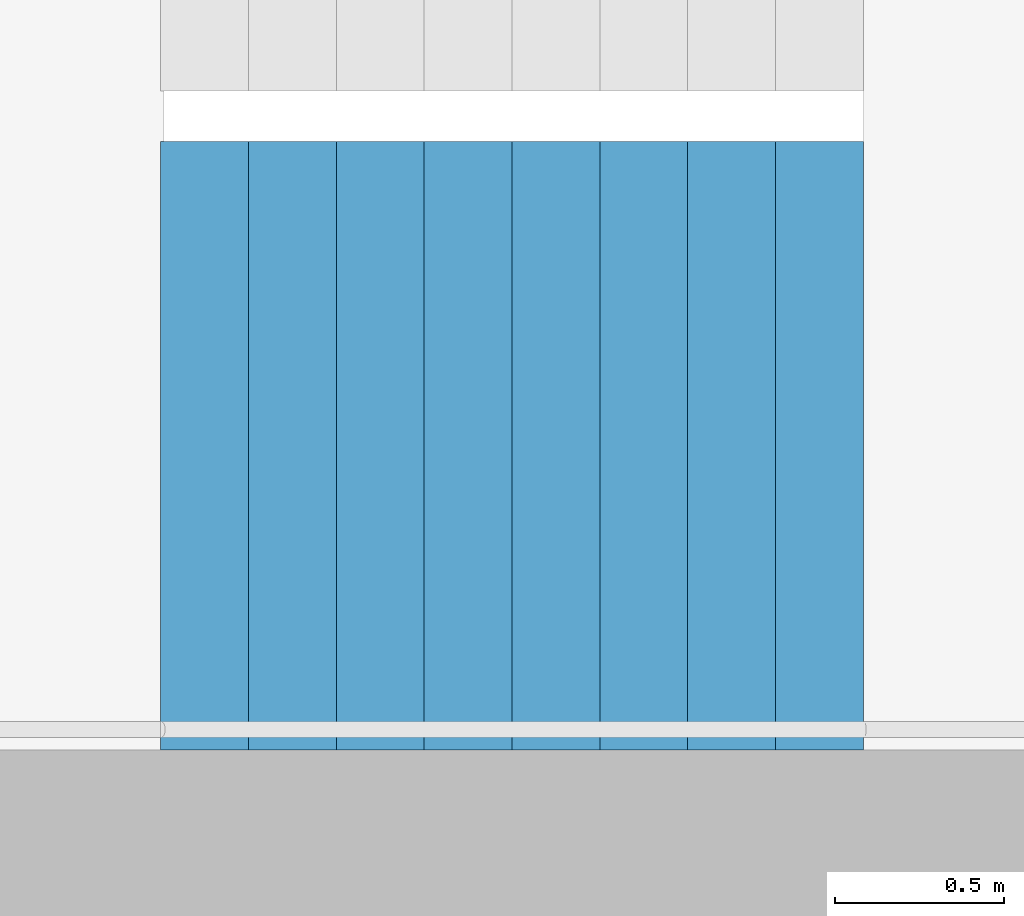
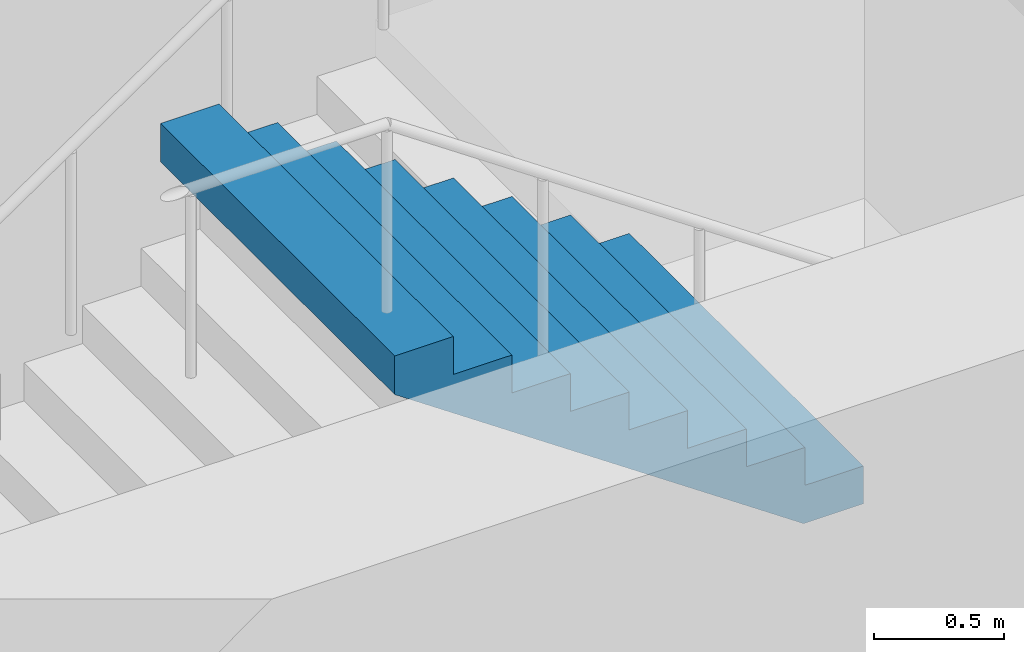
# One storey, part 25 of 29: 1 stair flight, 1 element without a shape of its own.
"""IFC4 building model written with IfcOpenShell, lengths in metres."""

import ifcopenshell
import ifcopenshell.guid

model = None  # the IFC model being written
_history = None  # IfcOwnerHistory: only IFC2X3 demands one
_inside = {}  # id of a spatial element -> (the spatial element, [elements in it])
_under = {}  # id of a project, library or spatial element -> (it, [spatial elements below it])
_declared = {}  # id of a project -> (the project, [libraries it declares])
_typed = {}  # id of a type object -> (the type object, [elements of that type])
_made_of = {}  # id of a material, layer set ... -> (it, [elements and type objects made of it])


def new_model(schema):
    """Start an empty IFC model of exactly this schema.

    Asked for "IFC4X3", IfcOpenShell would pick the latest addendum, in which some entities
    have other attributes; the version numbers below select the first issue.
    IFC2X3 requires an IfcOwnerHistory on every rooted entity: one is made here for all.
    """
    global model, _history
    if schema == "IFC4X3":
        model = ifcopenshell.file(schema_version=(4, 3, 0, 0))
    else:
        model = ifcopenshell.file(schema=schema)
    _inside.clear()
    _under.clear()
    _declared.clear()
    _typed.clear()
    _made_of.clear()
    _history = None
    if model.schema == "IFC2X3":
        org = make("IfcOrganization", Name="unknown")
        user = make(
            "IfcPersonAndOrganization",
            ThePerson=make("IfcPerson", FamilyName="unknown"),
            TheOrganization=org,
        )
        app = make(
            "IfcApplication",
            ApplicationDeveloper=org,
            Version="unknown",
            ApplicationFullName="unknown",
            ApplicationIdentifier="unknown",
        )
        _history = make(
            "IfcOwnerHistory",
            OwningUser=user,
            OwningApplication=app,
            ChangeAction="ADDED",
            CreationDate=0,
        )
    return model


def make(cls, **values):
    """One entity of the class cls with the attributes given. An attribute that is None is left unset."""
    return model.create_entity(
        cls, **{name: value for name, value in values.items() if value is not None}
    )


def rooted(cls, **values):
    """An entity with a GlobalId (a new one), such as an element, a storey or a relation."""
    return make(cls, GlobalId=ifcopenshell.guid.new(), OwnerHistory=_history, **values)


def si_unit(unit_type, name, prefix=None):
    """IfcSIUnit, for example si_unit("LENGTHUNIT", "METRE", prefix="MILLI")."""
    return make("IfcSIUnit", UnitType=unit_type, Prefix=prefix, Name=name)


def assignment(units):
    """IfcUnitAssignment: the units of a project."""
    return None if units is None else make("IfcUnitAssignment", Units=units)


def point(xyz):
    """IfcCartesianPoint."""
    return None if xyz is None else make("IfcCartesianPoint", Coordinates=xyz)


def direction(xyz):
    """IfcDirection."""
    return None if xyz is None else make("IfcDirection", DirectionRatios=xyz)


def frame(location, z_axis=None, x_axis=None):
    """IfcAxis2Placement3D, a coordinate frame: its origin and axes. An axis left out is left unset."""
    return make(
        "IfcAxis2Placement3D",
        Location=point(location),
        Axis=direction(z_axis),
        RefDirection=direction(x_axis),
    )


def origin():
    """The frame at (0, 0, 0) with its axes left unset."""
    return frame((0.0, 0.0, 0.0))


def place(relative_to, where):
    """IfcLocalPlacement: puts the frame where relative to a parent placement (None: the world)."""
    return make(
        "IfcLocalPlacement", PlacementRelTo=relative_to, RelativePlacement=where
    )


def context(
    kind, dimensions, precision=None, world=None, true_north=None, identifier=None
):
    """IfcGeometricRepresentationContext, for example the 3D "Model" context."""
    return make(
        "IfcGeometricRepresentationContext",
        ContextIdentifier=identifier,
        ContextType=kind,
        CoordinateSpaceDimension=dimensions,
        Precision=precision,
        WorldCoordinateSystem=world,
        TrueNorth=true_north,
    )


def subcontext(parent, identifier, kind, view, scale=None):
    """IfcGeometricRepresentationSubContext, for example "Body" below "Model"."""
    return make(
        "IfcGeometricRepresentationSubContext",
        ContextIdentifier=identifier,
        ContextType=kind,
        ParentContext=parent,
        TargetScale=scale,
        TargetView=view,
    )


def project(units=None, contexts=None):
    """IfcProject with its units and contexts."""
    return rooted(
        "IfcProject",
        Name="project",
        RepresentationContexts=contexts,
        UnitsInContext=assignment(units),
    )


def spatial(cls, under=None, at=None, **own):
    """A site, building, storey or space (cls), placed at a placement, below another one or the project."""
    s = rooted(cls, ObjectPlacement=at, **own)
    if under is not None:
        _under.setdefault(under.id(), (under, []))[1].append(s)
    return s


def point_list(points):
    """IfcCartesianPointList2D or 3D."""
    cls = (
        "IfcCartesianPointList2D" if len(points[0]) == 2 else "IfcCartesianPointList3D"
    )
    return make(cls, CoordList=points)


def triangles(points, corners, closed=None, point_numbers=None):
    """IfcTriangulatedFaceSet: each triangle names its three corners, points numbered from 1."""
    return make(
        "IfcTriangulatedFaceSet",
        Coordinates=point_list(points),
        Closed=closed,
        CoordIndex=corners,
        PnIndex=point_numbers,
    )


def shape(context_of_items, identifier, shape_type, items):
    """IfcShapeRepresentation: the items that make up one representation, for example the "Body"."""
    return make(
        "IfcShapeRepresentation",
        ContextOfItems=context_of_items,
        RepresentationIdentifier=identifier,
        RepresentationType=shape_type,
        Items=items,
    )


def material(Name=None, Category=None):
    """IfcMaterial."""
    return make("IfcMaterial", Name=Name, Category=Category)


def made_of(thing, what):
    """Note that an element or type object is made of a material, layer set ...; save() writes the relation."""
    if what is not None:
        _made_of.setdefault(what.id(), (what, []))[1].append(thing)
    return thing


def type_object(cls, material=None, **own):
    """A type object (cls), such as IfcWallType, which elements share."""
    return made_of(rooted(cls, **own), material)


def element(
    cls,
    number,
    at=None,
    inside=None,
    cuts=None,
    type_object=None,
    material=None,
    context=None,
    identifier="Body",
    shape_type=None,
    held_by="IfcProductDefinitionShape",
    body=None,
    shapes=None,
    **own,
):
    """One element of the class cls, such as IfcWall. Its Tag is "e" and its number.

    at: its placement. inside: the storey or other place that contains it. cuts: it is an
    opening in that element (IfcRelVoidsElement). A single representation is given by context,
    identifier, shape_type and body (its items); several are given by shapes. held_by: the class
    of the entity that holds the representations. save() writes the other relations.
    """
    e = rooted(cls, Tag="e%d" % number, ObjectPlacement=at, **own)
    if body is not None:
        shapes = [shape(context, identifier, shape_type, body)]
    if shapes is not None:
        e.Representation = make(held_by, Representations=shapes)
    if inside is not None:
        _inside.setdefault(inside.id(), (inside, []))[1].append(e)
    if cuts is not None:
        rooted(
            "IfcRelVoidsElement", RelatingBuildingElement=cuts, RelatedOpeningElement=e
        )
    if type_object is not None:
        _typed.setdefault(type_object.id(), (type_object, []))[1].append(e)
    return made_of(e, material)


def aggregate(whole, parts):
    """IfcRelAggregates: a whole, such as a stair, and the parts it consists of."""
    return rooted("IfcRelAggregates", RelatingObject=whole, RelatedObjects=parts)


def save(model, path):
    """Write the relations noted so far, then the file.

    IfcRelAggregates (storeys below a building ...), IfcRelContainedInSpatialStructure (elements
    in a storey), IfcRelDefinesByType, IfcRelAssociatesMaterial and IfcRelDeclares: one each for
    every whole, place, type object, material and project.
    """
    for whole, parts in _under.values():
        aggregate(whole, parts)
    for where, things in _inside.values():
        rooted(
            "IfcRelContainedInSpatialStructure",
            RelatedElements=things,
            RelatingStructure=where,
        )
    for kind, things in _typed.values():
        rooted("IfcRelDefinesByType", RelatedObjects=things, RelatingType=kind)
    for what, things in _made_of.values():
        rooted("IfcRelAssociatesMaterial", RelatedObjects=things, RelatingMaterial=what)
    for by, libraries in _declared.values():
        rooted("IfcRelDeclares", RelatingContext=by, RelatedDefinitions=libraries)
    model.write(path)


model = new_model("IFC4")

# Units and contexts
model_context = context("Model", 3, precision=1e-05, world=origin(), true_north=direction((0.0, 1.0)))
body_context = subcontext(model_context, "Body", "Model", "MODEL_VIEW")
ifc_project = project(units=[si_unit("LENGTHUNIT", "METRE"), si_unit("AREAUNIT", "SQUARE_METRE"), si_unit("VOLUMEUNIT", "CUBIC_METRE"), si_unit("PLANEANGLEUNIT", "RADIAN"), si_unit("MASSUNIT", "GRAM", prefix="KILO")], contexts=[model_context])

# Site, building, storey
site_placement = place(None, origin())
site = spatial("IfcSite", under=ifc_project, at=site_placement, CompositionType="ELEMENT")
building_placement = place(site_placement, origin())
building = spatial("IfcBuilding", under=site, at=building_placement, Name="Hakoniwa Tower and Hamabe Station Hall", CompositionType="ELEMENT")
storey_placement = place(building_placement, frame((0.0, 0.0, 110.60009765625)))
storey = spatial("IfcBuildingStorey", under=building, at=storey_placement, Name="L31", CompositionType="ELEMENT", Elevation=110.60009765625)

# Stair, stair flight
ifc_material_1 = material(Name="Concrete C40", Category="concrete")
stair_type = type_object("IfcStairType", Name="ESCAPE STAIR 1800", PredefinedType="HALF_TURN_STAIR", material=ifc_material_1)
stair_placement = place(storey_placement, origin())
stair = element("IfcStair", 1, at=stair_placement, inside=storey, type_object=stair_type, Name="Escape stair ST-4 L31", PredefinedType="HALF_TURN_STAIR")
ifc_material_2 = material(Name="Concrete C40", Category="concrete")
stair_flight_type = type_object("IfcStairFlightType", Name="STAIR FLIGHT 1800", PredefinedType="STRAIGHT", material=ifc_material_2)
stair_flight_placement = place(storey_placement, frame((25.47998046875, -6.60009765625, 1.599853515625), z_axis=(0.0, 0.0, 1.0), x_axis=(-1.0, 0.0, 0.0)))
stair_flight = element("IfcStairFlight", 2, at=stair_flight_placement, type_object=stair_flight_type, Name="ST-4 flight 2", NumberOfRisers=9, NumberOfTreads=8, PredefinedType="STRAIGHT", RiserHeight=0.177777778, TreadLength=0.26, context=body_context, shape_type="Tessellation", body=[
    triangles([(0.0, 0.89990234375, 0.0), (0.260009765625, 0.89990234375, 0.0), (0.265625, 0.89990234375, 0.0), (0.52001953125, 0.89990234375, 0.174072265625), (0.780029296875, 0.89990234375, 0.351806640625), (1.0400390625, 0.89990234375, 0.529541015625), (1.300048828125, 0.89990234375, 0.707275390625), (1.56005859375, 0.89990234375, 0.885009765625), (1.820068359375, 0.89990234375, 1.062744140625), (2.080078125, 0.89990234375, 1.24072265625), (2.080078125, 0.89990234375, 1.422119140625), (1.820068359375, 0.89990234375, 1.422119140625), (1.820068359375, 0.89990234375, 1.244384765625), (1.56005859375, 0.89990234375, 1.244384765625), (1.56005859375, 0.89990234375, 1.066650390625), (1.300048828125, 0.89990234375, 1.066650390625), (1.300048828125, 0.89990234375, 0.888916015625), (1.0400390625, 0.89990234375, 0.888916015625), (1.0400390625, 0.89990234375, 0.711181640625), (0.780029296875, 0.89990234375, 0.711181640625), (0.780029296875, 0.89990234375, 0.533447265625), (0.52001953125, 0.89990234375, 0.533447265625), (0.52001953125, 0.89990234375, 0.35546875), (0.265625, 0.89990234375, 0.35546875), (0.260009765625, 0.89990234375, 0.35546875), (0.260009765625, 0.89990234375, 0.177734375), (0.0, 0.89990234375, 0.177734375), (0.0, 0.06005859375, 0.0), (0.260009765625, 0.06005859375, 0.0), (0.265625, 0.06005859375, 0.0), (0.52001953125, 0.06005859375, 0.174072265625), (0.780029296875, 0.06005859375, 0.351806640625), (1.0400390625, 0.06005859375, 0.529541015625), (1.300048828125, 0.06005859375, 0.707275390625), (1.56005859375, 0.06005859375, 0.885009765625), (1.820068359375, 0.06005859375, 1.062744140625), (2.080078125, 0.06005859375, 1.24072265625), (2.080078125, 0.06005859375, 1.422119140625), (1.820068359375, 0.06005859375, 1.422119140625), (1.820068359375, 0.06005859375, 1.244384765625), (1.56005859375, 0.06005859375, 1.244384765625), (1.56005859375, 0.06005859375, 1.066650390625), (1.300048828125, 0.06005859375, 1.066650390625), (1.300048828125, 0.06005859375, 0.888916015625), (1.0400390625, 0.06005859375, 0.888916015625), (1.0400390625, 0.06005859375, 0.711181640625), (0.780029296875, 0.06005859375, 0.711181640625), (0.780029296875, 0.06005859375, 0.533447265625), (0.52001953125, 0.06005859375, 0.533447265625), (0.52001953125, 0.06005859375, 0.35546875), (0.265625, 0.06005859375, 0.35546875), (0.260009765625, 0.06005859375, 0.35546875), (0.260009765625, 0.06005859375, 0.177734375), (0.0, 0.06005859375, 0.177734375), (0.0, 0.04296875, 0.0), (0.260009765625, 0.04296875, 0.0), (0.265625, 0.04296875, 0.0), (0.52001953125, 0.04296875, 0.174072265625), (0.780029296875, 0.04296875, 0.351806640625), (1.0400390625, 0.04296875, 0.529541015625), (1.300048828125, 0.04296875, 0.707275390625), (1.56005859375, 0.04296875, 0.885009765625), (1.820068359375, 0.04296875, 1.062744140625), (2.080078125, 0.04296875, 1.24072265625), (2.080078125, 0.04296875, 1.422119140625), (1.820068359375, 0.04296875, 1.422119140625), (1.820068359375, 0.04296875, 1.244384765625), (1.56005859375, 0.04296875, 1.244384765625), (1.56005859375, 0.04296875, 1.066650390625), (1.300048828125, 0.04296875, 1.066650390625), (1.300048828125, 0.04296875, 0.888916015625), (1.0400390625, 0.04296875, 0.888916015625), (1.0400390625, 0.04296875, 0.711181640625), (0.780029296875, 0.04296875, 0.711181640625), (0.780029296875, 0.04296875, 0.533447265625), (0.52001953125, 0.04296875, 0.533447265625), (0.52001953125, 0.04296875, 0.35546875), (0.265625, 0.04296875, 0.35546875), (0.260009765625, 0.04296875, 0.35546875), (0.260009765625, 0.04296875, 0.177734375), (0.0, 0.04296875, 0.177734375), (0.0, 0.025634765625, 0.0), (0.260009765625, 0.025634765625, 0.0), (0.265625, 0.025634765625, 0.0), (0.52001953125, 0.025634765625, 0.174072265625), (0.780029296875, 0.025634765625, 0.351806640625), (1.0400390625, 0.025634765625, 0.529541015625), (1.300048828125, 0.025634765625, 0.707275390625), (1.56005859375, 0.025634765625, 0.885009765625), (1.820068359375, 0.025634765625, 1.062744140625), (2.080078125, 0.025634765625, 1.24072265625), (2.080078125, 0.025634765625, 1.422119140625), (1.820068359375, 0.025634765625, 1.422119140625), (1.820068359375, 0.025634765625, 1.244384765625), (1.56005859375, 0.025634765625, 1.244384765625), (1.56005859375, 0.025634765625, 1.066650390625), (1.300048828125, 0.025634765625, 1.066650390625), (1.300048828125, 0.025634765625, 0.888916015625), (1.0400390625, 0.025634765625, 0.888916015625), (1.0400390625, 0.025634765625, 0.711181640625), (0.780029296875, 0.025634765625, 0.711181640625), (0.780029296875, 0.025634765625, 0.533447265625), (0.52001953125, 0.025634765625, 0.533447265625), (0.52001953125, 0.025634765625, 0.35546875), (0.265625, 0.025634765625, 0.35546875), (0.260009765625, 0.025634765625, 0.35546875), (0.260009765625, 0.025634765625, 0.177734375), (0.0, 0.025634765625, 0.177734375), (0.0, 0.008544921875, 0.0), (0.260009765625, 0.008544921875, 0.0), (0.265625, 0.008544921875, 0.0), (0.52001953125, 0.008544921875, 0.174072265625), (0.780029296875, 0.008544921875, 0.351806640625), (1.0400390625, 0.008544921875, 0.529541015625), (1.300048828125, 0.008544921875, 0.707275390625), (1.56005859375, 0.008544921875, 0.885009765625), (1.820068359375, 0.008544921875, 1.062744140625), (2.080078125, 0.008544921875, 1.24072265625), (2.080078125, 0.008544921875, 1.422119140625), (1.820068359375, 0.008544921875, 1.422119140625), (1.820068359375, 0.008544921875, 1.244384765625), (1.56005859375, 0.008544921875, 1.244384765625), (1.56005859375, 0.008544921875, 1.066650390625), (1.300048828125, 0.008544921875, 1.066650390625), (1.300048828125, 0.008544921875, 0.888916015625), (1.0400390625, 0.008544921875, 0.888916015625), (1.0400390625, 0.008544921875, 0.711181640625), (0.780029296875, 0.008544921875, 0.711181640625), (0.780029296875, 0.008544921875, 0.533447265625), (0.52001953125, 0.008544921875, 0.533447265625), (0.52001953125, 0.008544921875, 0.35546875), (0.265625, 0.008544921875, 0.35546875), (0.260009765625, 0.008544921875, 0.35546875), (0.260009765625, 0.008544921875, 0.177734375), (0.0, 0.008544921875, 0.177734375), (0.0, -0.008544921875, 0.0), (0.260009765625, -0.008544921875, 0.0), (0.265625, -0.008544921875, 0.0), (0.52001953125, -0.008544921875, 0.174072265625), (0.780029296875, -0.008544921875, 0.351806640625), (1.0400390625, -0.008544921875, 0.529541015625), (1.300048828125, -0.008544921875, 0.707275390625), (1.56005859375, -0.008544921875, 0.885009765625), (1.820068359375, -0.008544921875, 1.062744140625), (2.080078125, -0.008544921875, 1.24072265625), (2.080078125, -0.008544921875, 1.422119140625), (1.820068359375, -0.008544921875, 1.422119140625), (1.820068359375, -0.008544921875, 1.244384765625), (1.56005859375, -0.008544921875, 1.244384765625), (1.56005859375, -0.008544921875, 1.066650390625), (1.300048828125, -0.008544921875, 1.066650390625), (1.300048828125, -0.008544921875, 0.888916015625), (1.0400390625, -0.008544921875, 0.888916015625), (1.0400390625, -0.008544921875, 0.711181640625), (0.780029296875, -0.008544921875, 0.711181640625), (0.780029296875, -0.008544921875, 0.533447265625), (0.52001953125, -0.008544921875, 0.533447265625), (0.52001953125, -0.008544921875, 0.35546875), (0.265625, -0.008544921875, 0.35546875), (0.260009765625, -0.008544921875, 0.35546875), (0.260009765625, -0.008544921875, 0.177734375), (0.0, -0.008544921875, 0.177734375), (0.0, -0.025634765625, 0.0), (0.260009765625, -0.025634765625, 0.0), (0.265625, -0.025634765625, 0.0), (0.52001953125, -0.025634765625, 0.174072265625), (0.780029296875, -0.025634765625, 0.351806640625), (1.0400390625, -0.025634765625, 0.529541015625), (1.300048828125, -0.025634765625, 0.707275390625), (1.56005859375, -0.025634765625, 0.885009765625), (1.820068359375, -0.025634765625, 1.062744140625), (2.080078125, -0.025634765625, 1.24072265625), (2.080078125, -0.025634765625, 1.422119140625), (1.820068359375, -0.025634765625, 1.422119140625), (1.820068359375, -0.025634765625, 1.244384765625), (1.56005859375, -0.025634765625, 1.244384765625), (1.56005859375, -0.025634765625, 1.066650390625), (1.300048828125, -0.025634765625, 1.066650390625), (1.300048828125, -0.025634765625, 0.888916015625), (1.0400390625, -0.025634765625, 0.888916015625), (1.0400390625, -0.025634765625, 0.711181640625), (0.780029296875, -0.025634765625, 0.711181640625), (0.780029296875, -0.025634765625, 0.533447265625), (0.52001953125, -0.025634765625, 0.533447265625), (0.52001953125, -0.025634765625, 0.35546875), (0.265625, -0.025634765625, 0.35546875), (0.260009765625, -0.025634765625, 0.35546875), (0.260009765625, -0.025634765625, 0.177734375), (0.0, -0.025634765625, 0.177734375), (0.0, -0.04296875, 0.0), (0.260009765625, -0.04296875, 0.0), (0.265625, -0.04296875, 0.0), (0.52001953125, -0.04296875, 0.174072265625), (0.780029296875, -0.04296875, 0.351806640625), (1.0400390625, -0.04296875, 0.529541015625), (1.300048828125, -0.04296875, 0.707275390625), (1.56005859375, -0.04296875, 0.885009765625), (1.820068359375, -0.04296875, 1.062744140625), (2.080078125, -0.04296875, 1.24072265625), (2.080078125, -0.04296875, 1.422119140625), (1.820068359375, -0.04296875, 1.422119140625), (1.820068359375, -0.04296875, 1.244384765625), (1.56005859375, -0.04296875, 1.244384765625), (1.56005859375, -0.04296875, 1.066650390625), (1.300048828125, -0.04296875, 1.066650390625), (1.300048828125, -0.04296875, 0.888916015625), (1.0400390625, -0.04296875, 0.888916015625), (1.0400390625, -0.04296875, 0.711181640625), (0.780029296875, -0.04296875, 0.711181640625), (0.780029296875, -0.04296875, 0.533447265625), (0.52001953125, -0.04296875, 0.533447265625), (0.52001953125, -0.04296875, 0.35546875), (0.265625, -0.04296875, 0.35546875), (0.260009765625, -0.04296875, 0.35546875), (0.260009765625, -0.04296875, 0.177734375), (0.0, -0.04296875, 0.177734375), (0.0, -0.06005859375, 0.0), (0.260009765625, -0.06005859375, 0.0), (0.265625, -0.06005859375, 0.0), (0.52001953125, -0.06005859375, 0.174072265625), (0.780029296875, -0.06005859375, 0.351806640625), (1.0400390625, -0.06005859375, 0.529541015625), (1.300048828125, -0.06005859375, 0.707275390625), (1.56005859375, -0.06005859375, 0.885009765625), (1.820068359375, -0.06005859375, 1.062744140625), (2.080078125, -0.06005859375, 1.24072265625), (2.080078125, -0.06005859375, 1.422119140625), (1.820068359375, -0.06005859375, 1.422119140625), (1.820068359375, -0.06005859375, 1.244384765625), (1.56005859375, -0.06005859375, 1.244384765625), (1.56005859375, -0.06005859375, 1.066650390625), (1.300048828125, -0.06005859375, 1.066650390625), (1.300048828125, -0.06005859375, 0.888916015625), (1.0400390625, -0.06005859375, 0.888916015625), (1.0400390625, -0.06005859375, 0.711181640625), (0.780029296875, -0.06005859375, 0.711181640625), (0.780029296875, -0.06005859375, 0.533447265625), (0.52001953125, -0.06005859375, 0.533447265625), (0.52001953125, -0.06005859375, 0.35546875), (0.265625, -0.06005859375, 0.35546875), (0.260009765625, -0.06005859375, 0.35546875), (0.260009765625, -0.06005859375, 0.177734375), (0.0, -0.06005859375, 0.177734375), (0.0, -0.89990234375, 0.0), (0.260009765625, -0.89990234375, 0.0), (0.265625, -0.89990234375, 0.0), (0.52001953125, -0.89990234375, 0.174072265625), (0.780029296875, -0.89990234375, 0.351806640625), (1.0400390625, -0.89990234375, 0.529541015625), (1.300048828125, -0.89990234375, 0.707275390625), (1.56005859375, -0.89990234375, 0.885009765625), (1.820068359375, -0.89990234375, 1.062744140625), (2.080078125, -0.89990234375, 1.24072265625), (2.080078125, -0.89990234375, 1.422119140625), (1.820068359375, -0.89990234375, 1.422119140625), (1.820068359375, -0.89990234375, 1.244384765625), (1.56005859375, -0.89990234375, 1.244384765625), (1.56005859375, -0.89990234375, 1.066650390625), (1.300048828125, -0.89990234375, 1.066650390625), (1.300048828125, -0.89990234375, 0.888916015625), (1.0400390625, -0.89990234375, 0.888916015625), (1.0400390625, -0.89990234375, 0.711181640625), (0.780029296875, -0.89990234375, 0.711181640625), (0.780029296875, -0.89990234375, 0.533447265625), (0.52001953125, -0.89990234375, 0.533447265625), (0.52001953125, -0.89990234375, 0.35546875), (0.265625, -0.89990234375, 0.35546875), (0.260009765625, -0.89990234375, 0.35546875), (0.260009765625, -0.89990234375, 0.177734375), (0.0, -0.89990234375, 0.177734375)], [[2, 27, 26], [245, 269, 270], [2, 1, 27], [245, 270, 244], [3, 25, 24], [246, 267, 268], [3, 26, 25], [246, 268, 269], [3, 2, 26], [246, 269, 245], [4, 24, 23], [247, 266, 267], [4, 3, 24], [247, 267, 246], [5, 22, 21], [248, 264, 265], [5, 23, 22], [248, 265, 266], [5, 4, 23], [248, 266, 247], [6, 20, 19], [249, 262, 263], [6, 21, 20], [249, 263, 264], [6, 5, 21], [249, 264, 248], [7, 18, 17], [250, 260, 261], [7, 19, 18], [250, 261, 262], [7, 6, 19], [250, 262, 249], [8, 16, 15], [251, 258, 259], [8, 17, 16], [251, 259, 260], [8, 7, 17], [251, 260, 250], [9, 14, 13], [252, 256, 257], [9, 15, 14], [252, 257, 258], [9, 8, 15], [252, 258, 251], [10, 12, 11], [253, 254, 255], [10, 13, 12], [253, 255, 256], [10, 9, 13], [253, 256, 252], [1, 2, 29], [1, 29, 28], [28, 29, 56], [28, 56, 55], [55, 56, 83], [55, 83, 82], [82, 83, 110], [82, 110, 109], [109, 110, 137], [109, 137, 136], [136, 137, 164], [136, 164, 163], [163, 164, 191], [163, 191, 190], [190, 191, 218], [190, 218, 217], [217, 218, 245], [217, 245, 244], [2, 3, 30], [2, 30, 29], [29, 30, 57], [29, 57, 56], [56, 57, 84], [56, 84, 83], [83, 84, 111], [83, 111, 110], [110, 111, 138], [110, 138, 137], [137, 138, 165], [137, 165, 164], [164, 165, 192], [164, 192, 191], [191, 192, 219], [191, 219, 218], [218, 219, 246], [218, 246, 245], [3, 4, 31], [3, 31, 30], [30, 31, 58], [30, 58, 57], [57, 58, 85], [57, 85, 84], [84, 85, 112], [84, 112, 111], [111, 112, 139], [111, 139, 138], [138, 139, 166], [138, 166, 165], [165, 166, 193], [165, 193, 192], [192, 193, 220], [192, 220, 219], [219, 220, 247], [219, 247, 246], [4, 5, 32], [4, 32, 31], [31, 32, 59], [31, 59, 58], [58, 59, 86], [58, 86, 85], [85, 86, 113], [85, 113, 112], [112, 113, 140], [112, 140, 139], [139, 140, 167], [139, 167, 166], [166, 167, 194], [166, 194, 193], [193, 194, 221], [193, 221, 220], [220, 221, 248], [220, 248, 247], [5, 6, 33], [5, 33, 32], [32, 33, 60], [32, 60, 59], [59, 60, 87], [59, 87, 86], [86, 87, 114], [86, 114, 113], [113, 114, 141], [113, 141, 140], [140, 141, 168], [140, 168, 167], [167, 168, 195], [167, 195, 194], [194, 195, 222], [194, 222, 221], [221, 222, 249], [221, 249, 248], [6, 7, 34], [6, 34, 33], [33, 34, 61], [33, 61, 60], [60, 61, 88], [60, 88, 87], [87, 88, 115], [87, 115, 114], [114, 115, 142], [114, 142, 141], [141, 142, 169], [141, 169, 168], [168, 169, 196], [168, 196, 195], [195, 196, 223], [195, 223, 222], [222, 223, 250], [222, 250, 249], [7, 8, 35], [7, 35, 34], [34, 35, 62], [34, 62, 61], [61, 62, 89], [61, 89, 88], [88, 89, 116], [88, 116, 115], [115, 116, 143], [115, 143, 142], [142, 143, 170], [142, 170, 169], [169, 170, 197], [169, 197, 196], [196, 197, 224], [196, 224, 223], [223, 224, 251], [223, 251, 250], [8, 9, 36], [8, 36, 35], [35, 36, 63], [35, 63, 62], [62, 63, 90], [62, 90, 89], [89, 90, 117], [89, 117, 116], [116, 117, 144], [116, 144, 143], [143, 144, 171], [143, 171, 170], [170, 171, 198], [170, 198, 197], [197, 198, 225], [197, 225, 224], [224, 225, 252], [224, 252, 251], [9, 10, 37], [9, 37, 36], [36, 37, 64], [36, 64, 63], [63, 64, 91], [63, 91, 90], [90, 91, 118], [90, 118, 117], [117, 118, 145], [117, 145, 144], [144, 145, 172], [144, 172, 171], [171, 172, 199], [171, 199, 198], [198, 199, 226], [198, 226, 225], [225, 226, 253], [225, 253, 252], [10, 11, 38], [10, 38, 37], [37, 38, 65], [37, 65, 64], [64, 65, 92], [64, 92, 91], [91, 92, 119], [91, 119, 118], [118, 119, 146], [118, 146, 145], [145, 146, 173], [145, 173, 172], [172, 173, 200], [172, 200, 199], [199, 200, 227], [199, 227, 226], [226, 227, 254], [226, 254, 253], [11, 12, 39], [11, 39, 38], [38, 39, 66], [38, 66, 65], [65, 66, 93], [65, 93, 92], [92, 93, 120], [92, 120, 119], [119, 120, 147], [119, 147, 146], [146, 147, 174], [146, 174, 173], [173, 174, 201], [173, 201, 200], [200, 201, 228], [200, 228, 227], [227, 228, 255], [227, 255, 254], [12, 13, 40], [12, 40, 39], [39, 40, 67], [39, 67, 66], [66, 67, 94], [66, 94, 93], [93, 94, 121], [93, 121, 120], [120, 121, 148], [120, 148, 147], [147, 148, 175], [147, 175, 174], [174, 175, 202], [174, 202, 201], [201, 202, 229], [201, 229, 228], [228, 229, 256], [228, 256, 255], [13, 14, 41], [13, 41, 40], [40, 41, 68], [40, 68, 67], [67, 68, 95], [67, 95, 94], [94, 95, 122], [94, 122, 121], [121, 122, 149], [121, 149, 148], [148, 149, 176], [148, 176, 175], [175, 176, 203], [175, 203, 202], [202, 203, 230], [202, 230, 229], [229, 230, 257], [229, 257, 256], [14, 15, 42], [14, 42, 41], [41, 42, 69], [41, 69, 68], [68, 69, 96], [68, 96, 95], [95, 96, 123], [95, 123, 122], [122, 123, 150], [122, 150, 149], [149, 150, 177], [149, 177, 176], [176, 177, 204], [176, 204, 203], [203, 204, 231], [203, 231, 230], [230, 231, 258], [230, 258, 257], [15, 16, 43], [15, 43, 42], [42, 43, 70], [42, 70, 69], [69, 70, 97], [69, 97, 96], [96, 97, 124], [96, 124, 123], [123, 124, 151], [123, 151, 150], [150, 151, 178], [150, 178, 177], [177, 178, 205], [177, 205, 204], [204, 205, 232], [204, 232, 231], [231, 232, 259], [231, 259, 258], [16, 17, 44], [16, 44, 43], [43, 44, 71], [43, 71, 70], [70, 71, 98], [70, 98, 97], [97, 98, 125], [97, 125, 124], [124, 125, 152], [124, 152, 151], [151, 152, 179], [151, 179, 178], [178, 179, 206], [178, 206, 205], [205, 206, 233], [205, 233, 232], [232, 233, 260], [232, 260, 259], [17, 18, 45], [17, 45, 44], [44, 45, 72], [44, 72, 71], [71, 72, 99], [71, 99, 98], [98, 99, 126], [98, 126, 125], [125, 126, 153], [125, 153, 152], [152, 153, 180], [152, 180, 179], [179, 180, 207], [179, 207, 206], [206, 207, 234], [206, 234, 233], [233, 234, 261], [233, 261, 260], [18, 19, 46], [18, 46, 45], [45, 46, 73], [45, 73, 72], [72, 73, 100], [72, 100, 99], [99, 100, 127], [99, 127, 126], [126, 127, 154], [126, 154, 153], [153, 154, 181], [153, 181, 180], [180, 181, 208], [180, 208, 207], [207, 208, 235], [207, 235, 234], [234, 235, 262], [234, 262, 261], [19, 20, 47], [19, 47, 46], [46, 47, 74], [46, 74, 73], [73, 74, 101], [73, 101, 100], [100, 101, 128], [100, 128, 127], [127, 128, 155], [127, 155, 154], [154, 155, 182], [154, 182, 181], [181, 182, 209], [181, 209, 208], [208, 209, 236], [208, 236, 235], [235, 236, 263], [235, 263, 262], [20, 21, 48], [20, 48, 47], [47, 48, 75], [47, 75, 74], [74, 75, 102], [74, 102, 101], [101, 102, 129], [101, 129, 128], [128, 129, 156], [128, 156, 155], [155, 156, 183], [155, 183, 182], [182, 183, 210], [182, 210, 209], [209, 210, 237], [209, 237, 236], [236, 237, 264], [236, 264, 263], [21, 22, 49], [21, 49, 48], [48, 49, 76], [48, 76, 75], [75, 76, 103], [75, 103, 102], [102, 103, 130], [102, 130, 129], [129, 130, 157], [129, 157, 156], [156, 157, 184], [156, 184, 183], [183, 184, 211], [183, 211, 210], [210, 211, 238], [210, 238, 237], [237, 238, 265], [237, 265, 264], [22, 23, 50], [22, 50, 49], [49, 50, 77], [49, 77, 76], [76, 77, 104], [76, 104, 103], [103, 104, 131], [103, 131, 130], [130, 131, 158], [130, 158, 157], [157, 158, 185], [157, 185, 184], [184, 185, 212], [184, 212, 211], [211, 212, 239], [211, 239, 238], [238, 239, 266], [238, 266, 265], [23, 24, 51], [23, 51, 50], [50, 51, 78], [50, 78, 77], [77, 78, 105], [77, 105, 104], [104, 105, 132], [104, 132, 131], [131, 132, 159], [131, 159, 158], [158, 159, 186], [158, 186, 185], [185, 186, 213], [185, 213, 212], [212, 213, 240], [212, 240, 239], [239, 240, 267], [239, 267, 266], [24, 25, 52], [24, 52, 51], [51, 52, 79], [51, 79, 78], [78, 79, 106], [78, 106, 105], [105, 106, 133], [105, 133, 132], [132, 133, 160], [132, 160, 159], [159, 160, 187], [159, 187, 186], [186, 187, 214], [186, 214, 213], [213, 214, 241], [213, 241, 240], [240, 241, 268], [240, 268, 267], [25, 26, 53], [25, 53, 52], [52, 53, 80], [52, 80, 79], [79, 80, 107], [79, 107, 106], [106, 107, 134], [106, 134, 133], [133, 134, 161], [133, 161, 160], [160, 161, 188], [160, 188, 187], [187, 188, 215], [187, 215, 214], [214, 215, 242], [214, 242, 241], [241, 242, 269], [241, 269, 268], [26, 27, 54], [26, 54, 53], [53, 54, 81], [53, 81, 80], [80, 81, 108], [80, 108, 107], [107, 108, 135], [107, 135, 134], [134, 135, 162], [134, 162, 161], [161, 162, 189], [161, 189, 188], [188, 189, 216], [188, 216, 215], [215, 216, 243], [215, 243, 242], [242, 243, 270], [242, 270, 269], [27, 1, 28], [27, 28, 54], [54, 28, 55], [54, 55, 81], [81, 55, 82], [81, 82, 108], [108, 82, 109], [108, 109, 135], [135, 109, 136], [135, 136, 162], [162, 136, 163], [162, 163, 189], [189, 163, 190], [189, 190, 216], [216, 190, 217], [216, 217, 243], [243, 217, 244], [243, 244, 270]], closed=True),
])
aggregate(stair, [stair_flight])

save(model, "model.ifc")
